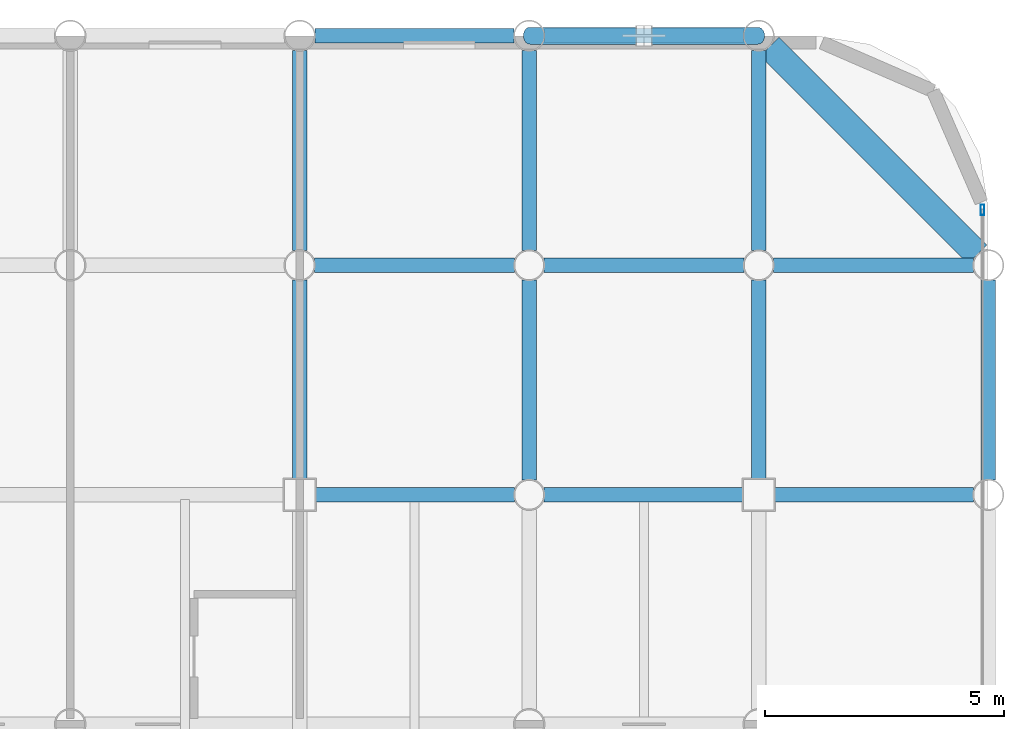
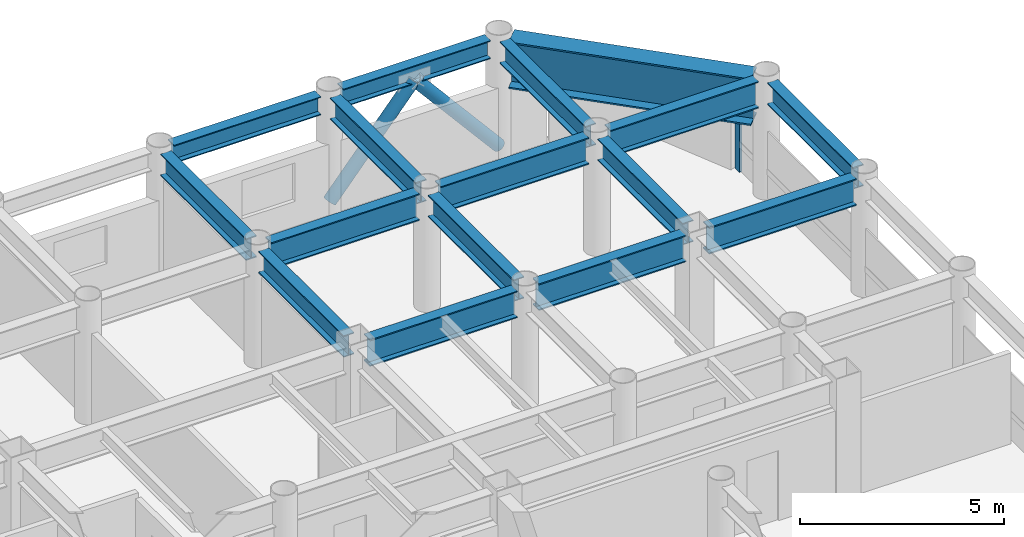
# One storey, part 14 of 20: 16 beams, 3 members, 1 element without a shape of its own.
"""IFC4 building model written with IfcOpenShell, lengths in metres."""

from ifc_helpers import new_model, si_unit, direction, frame, origin, origin_2d, place, context, subcontext, project, spatial, hollow_rectangle, hollow_circle, i_section, extrude, material, layer, layer_set, material_profile, profile_set, type_object, element, aggregate, save


model = new_model("IFC4")

# Units and contexts
model_context = context("Model", 3, precision=1e-05, world=origin(), true_north=direction((0.0, 1.0)))
body_context = subcontext(model_context, "Body", "Model", "MODEL_VIEW")
ifc_project = project(units=[si_unit("LENGTHUNIT", "METRE"), si_unit("AREAUNIT", "SQUARE_METRE"), si_unit("VOLUMEUNIT", "CUBIC_METRE"), si_unit("PLANEANGLEUNIT", "RADIAN"), si_unit("MASSUNIT", "GRAM", prefix="KILO")], contexts=[model_context])

# Site, building, storey
site_placement = place(None, origin())
site = spatial("IfcSite", under=ifc_project, at=site_placement, CompositionType="ELEMENT")
building_placement = place(site_placement, origin())
building = spatial("IfcBuilding", under=site, at=building_placement, Name="Kallvorn Hotel Tower", CompositionType="ELEMENT")
storey_placement = place(building_placement, frame((0.0, 0.0, 128.5)))
storey = spatial("IfcBuildingStorey", under=building, at=storey_placement, Name="L31", CompositionType="ELEMENT", Elevation=128.5)

# Beams
ifc_material_1 = material(Name="Structural steel S355JR", Category="steel")
ifc_material_profile_1 = material_profile(ifc_material_1, i_section(OverallWidth=0.300048828125, OverallDepth=0.550048828125, WebThickness=0.014892578125, FlangeThickness=0.029052734375, at=origin_2d()), Name="HE 550 B")
ifc_profile_set_1 = profile_set([ifc_material_profile_1], Name="Structural steel S355JR")
beam_type_1 = type_object("IfcBeamType", Name="BM_HE550B", PredefinedType="SPANDREL", material=ifc_profile_set_1)
for number, where, z_axis, x_axis, name in (
    (1, (14.719970703125, 24.0, 3.2451171875), (1.0, 0.0, 0.0), (0.0, 1.0, 0.0), "L32 Perimeter Spandrel 172"),
    (2, (19.52001953125, 24.0, 3.2451171875), (1.0, 0.0, 0.0), (0.0, 1.0, 0.0), "L32 Perimeter Spandrel 173"),
):
    element("IfcBeam", number, at=place(storey_placement, frame(where, z_axis=z_axis, x_axis=x_axis)), inside=storey, type_object=beam_type_1, Name=name, PredefinedType="SPANDREL", context=body_context, shape_type="SweptSolid", body=[
        extrude(i_section(OverallWidth=0.300048828125, OverallDepth=0.550048828125, WebThickness=0.014892578125, FlangeThickness=0.029052734375, at=origin_2d()), origin(), (0.0, 0.0, 1.0), 4.159912109375),
    ])
ifc_material_2 = material(Name="Structural steel S355JR", Category="steel")
ifc_material_profile_2 = material_profile(ifc_material_2, i_section(OverallWidth=0.300048828125, OverallDepth=0.64990234375, WebThickness=0.01611328125, FlangeThickness=0.031005859375, at=origin_2d()), Name="HE 650 B")
ifc_profile_set_2 = profile_set([ifc_material_profile_2], Name="Structural steel S355JR")
beam_type_2 = type_object("IfcBeamType", Name="BM_HE650B", PredefinedType="BEAM", material=ifc_profile_set_2)
beam_1_placement = place(storey_placement, frame((14.39990234375, 14.72509765625, 3.195068359375), z_axis=(0.0, 1.0, 0.0), x_axis=(-1.0, 0.0, 0.0)))
element("IfcBeam", 3, at=beam_1_placement, inside=storey, type_object=beam_type_2, Name="L32 Primary Y-Girder 125", PredefinedType="BEAM", context=body_context, shape_type="SweptSolid", body=[
    extrude(i_section(OverallWidth=0.300048828125, OverallDepth=0.64990234375, WebThickness=0.01611328125, FlangeThickness=0.031005859375, at=origin_2d()), origin(), (0.0, 0.0, 1.0), 4.169921875),
])
beam_2_placement = place(storey_placement, frame((14.39990234375, 19.5048828125, 3.195068359375), z_axis=(0.0, 1.0, 0.0), x_axis=(-1.0, 0.0, 0.0)))
element("IfcBeam", 4, at=beam_2_placement, inside=storey, type_object=beam_type_2, Name="L32 Primary Y-Girder 126", PredefinedType="BEAM", context=body_context, shape_type="SweptSolid", body=[
    extrude(i_section(OverallWidth=0.300048828125, OverallDepth=0.64990234375, WebThickness=0.01611328125, FlangeThickness=0.031005859375, at=origin_2d()), origin(), (0.0, 0.0, 1.0), 4.190185546875),
])
beam_3_placement = place(storey_placement, frame((19.199951171875, 14.705078125, 3.195068359375), z_axis=(0.0, 1.0, 0.0), x_axis=(-1.0, 0.0, 0.0)))
element("IfcBeam", 5, at=beam_3_placement, inside=storey, type_object=beam_type_2, Name="L32 Primary Y-Girder 134", PredefinedType="BEAM", context=body_context, shape_type="SweptSolid", body=[
    extrude(i_section(OverallWidth=0.300048828125, OverallDepth=0.64990234375, WebThickness=0.01611328125, FlangeThickness=0.031005859375, at=origin_2d()), origin(), (0.0, 0.0, 1.0), 4.18994140625),
])
beam_4_placement = place(storey_placement, frame((19.199951171875, 19.5048828125, 3.195068359375), z_axis=(0.0, 1.0, 0.0), x_axis=(-1.0, 0.0, 0.0)))
element("IfcBeam", 6, at=beam_4_placement, inside=storey, type_object=beam_type_2, Name="L32 Primary Y-Girder 135", PredefinedType="BEAM", context=body_context, shape_type="SweptSolid", body=[
    extrude(i_section(OverallWidth=0.300048828125, OverallDepth=0.64990234375, WebThickness=0.01611328125, FlangeThickness=0.031005859375, at=origin_2d()), origin(), (0.0, 0.0, 1.0), 4.190185546875),
])
beam_5_placement = place(storey_placement, frame((24.0, 14.72509765625, 3.195068359375), z_axis=(0.0, 1.0, 0.0), x_axis=(-1.0, 0.0, 0.0)))
element("IfcBeam", 7, at=beam_5_placement, inside=storey, type_object=beam_type_2, Name="L32 Primary Y-Girder 141", PredefinedType="BEAM", context=body_context, shape_type="SweptSolid", body=[
    extrude(i_section(OverallWidth=0.300048828125, OverallDepth=0.64990234375, WebThickness=0.01611328125, FlangeThickness=0.031005859375, at=origin_2d()), origin(), (0.0, 0.0, 1.0), 4.169921875),
])
beam_6_placement = place(storey_placement, frame((24.0, 19.5048828125, 3.195068359375), z_axis=(0.0, 1.0, 0.0), x_axis=(-1.0, 0.0, 0.0)))
element("IfcBeam", 8, at=beam_6_placement, inside=storey, type_object=beam_type_2, Name="L32 Primary Y-Girder 142", PredefinedType="BEAM", context=body_context, shape_type="SweptSolid", body=[
    extrude(i_section(OverallWidth=0.300048828125, OverallDepth=0.64990234375, WebThickness=0.01611328125, FlangeThickness=0.031005859375, at=origin_2d()), origin(), (0.0, 0.0, 1.0), 4.190185546875),
])
beam_7_placement = place(storey_placement, frame((28.800048828125, 14.705078125, 3.195068359375), z_axis=(0.0, 1.0, 0.0), x_axis=(-1.0, 0.0, 0.0)))
element("IfcBeam", 9, at=beam_7_placement, inside=storey, type_object=beam_type_2, Name="L32 Primary Y-Girder 150", PredefinedType="BEAM", context=body_context, shape_type="SweptSolid", body=[
    extrude(i_section(OverallWidth=0.300048828125, OverallDepth=0.64990234375, WebThickness=0.01611328125, FlangeThickness=0.031005859375, at=origin_2d()), origin(), (0.0, 0.0, 1.0), 4.18994140625),
])
ifc_material_3 = material(Name="Structural steel S355JR", Category="steel")
ifc_material_profile_3 = material_profile(ifc_material_3, i_section(OverallWidth=0.300048828125, OverallDepth=0.800048828125, WebThickness=0.017578125, FlangeThickness=0.032958984375, at=origin_2d()), Name="HE 800 B")
ifc_profile_set_3 = profile_set([ifc_material_profile_3], Name="Structural steel S355JR")
beam_type_3 = type_object("IfcBeamType", Name="BM_HE800B", PredefinedType="BEAM", material=ifc_profile_set_3)
beam_8_placement = place(storey_placement, frame((14.72509765625, 14.39990234375, 3.1201171875), z_axis=(1.0, 0.0, 0.0), x_axis=(0.0, 1.0, 0.0)))
element("IfcBeam", 10, at=beam_8_placement, inside=storey, type_object=beam_type_3, Name="L32 Primary X-Girder 57", PredefinedType="BEAM", context=body_context, shape_type="SweptSolid", body=[
    extrude(i_section(OverallWidth=0.300048828125, OverallDepth=0.800048828125, WebThickness=0.017578125, FlangeThickness=0.032958984375, at=origin_2d()), origin(), (0.0, 0.0, 1.0), 4.169921875),
])
for number, where, z_axis, x_axis, name in (
    (11, (19.5048828125, 14.39990234375, 3.1201171875), (1.0, 0.0, 0.0), (0.0, 1.0, 0.0), "L32 Primary X-Girder 58"),
    (12, (24.324951171875, 14.39990234375, 3.1201171875), (1.0, 0.0, 0.0), (0.0, 1.0, 0.0), "L32 Primary X-Girder 59"),
):
    element("IfcBeam", number, at=place(storey_placement, frame(where, z_axis=z_axis, x_axis=x_axis)), inside=storey, type_object=beam_type_3, Name=name, PredefinedType="BEAM", context=body_context, shape_type="SweptSolid", body=[
        extrude(i_section(OverallWidth=0.300048828125, OverallDepth=0.800048828125, WebThickness=0.017578125, FlangeThickness=0.032958984375, at=origin_2d()), origin(), (0.0, 0.0, 1.0), 4.170166015625),
    ])
beam_9_placement = place(storey_placement, frame((14.705078125, 19.199951171875, 3.1201171875), z_axis=(1.0, 0.0, 0.0), x_axis=(0.0, 1.0, 0.0)))
element("IfcBeam", 13, at=beam_9_placement, inside=storey, type_object=beam_type_3, Name="L32 Primary X-Girder 70", PredefinedType="BEAM", context=body_context, shape_type="SweptSolid", body=[
    extrude(i_section(OverallWidth=0.300048828125, OverallDepth=0.800048828125, WebThickness=0.017578125, FlangeThickness=0.032958984375, at=origin_2d()), origin(), (0.0, 0.0, 1.0), 4.18994140625),
])
for number, where, z_axis, x_axis, name in (
    (14, (19.5048828125, 19.199951171875, 3.1201171875), (1.0, 0.0, 0.0), (0.0, 1.0, 0.0), "L32 Primary X-Girder 71"),
    (15, (24.304931640625, 19.199951171875, 3.1201171875), (1.0, 0.0, 0.0), (0.0, 1.0, 0.0), "L32 Primary X-Girder 72"),
):
    element("IfcBeam", number, at=place(storey_placement, frame(where, z_axis=z_axis, x_axis=x_axis)), inside=storey, type_object=beam_type_3, Name=name, PredefinedType="BEAM", context=body_context, shape_type="SweptSolid", body=[
        extrude(i_section(OverallWidth=0.300048828125, OverallDepth=0.800048828125, WebThickness=0.017578125, FlangeThickness=0.032958984375, at=origin_2d()), origin(), (0.0, 0.0, 1.0), 4.190185546875),
    ])
ifc_material_4 = material(Name="Structural steel S355JR", Category="steel")
ifc_material_profile_4 = material_profile(ifc_material_4, i_section(OverallWidth=0.550048828125, OverallDepth=1.39990234375, WebThickness=0.02490234375, FlangeThickness=0.044921875, at=origin_2d()), Name="PG 1400x550x25x45")
ifc_profile_set_4 = profile_set([ifc_material_profile_4], Name="Structural steel S355JR")
beam_type_4 = type_object("IfcBeamType", Name="BM_PG_1400", PredefinedType="BEAM", material=ifc_profile_set_4)
beam_10_placement = place(storey_placement, frame((28.57373046875, 19.42626953125, 2.820068359375), z_axis=(-0.707106781187, 0.707106781187, 0.0), x_axis=(-0.707106781187, -0.707106781187, 0.0)))
element("IfcBeam", 16, at=beam_10_placement, inside=storey, type_object=beam_type_4, Name="L32 Rounded Corner Tie Beam 191", PredefinedType="BEAM", context=body_context, shape_type="SweptSolid", body=[
    extrude(i_section(OverallWidth=0.550048828125, OverallDepth=1.39990234375, WebThickness=0.02490234375, FlangeThickness=0.044921875, at=origin_2d()), origin(), (0.0, 0.0, 1.0), 6.148193359375),
])

# Curtain wall, member
ifc_material_5 = material(Name="Thermally broken black-anodised aluminium AA 6063-T6", Category="aluminium")
ifc_layer = layer(ifc_material_5, 0.2099609375)
ifc_layer_set = layer_set([ifc_layer], Name="CW_SYS_4_HOTEL_MID")
curtain_wall_type = type_object("IfcCurtainWallType", Name="CW_SYS_4_HOTEL_MID", PredefinedType="USERDEFINED", material=ifc_layer_set)
curtain_wall_placement = place(storey_placement, origin())
curtain_wall = element("IfcCurtainWall", 17, at=curtain_wall_placement, inside=storey, type_object=curtain_wall_type, Name="L31 Dark-Glass Curtain Wall CW-L31-EN", ObjectType="UNITISED CURTAIN WALL", PredefinedType="USERDEFINED")
ifc_material_6 = material(Name="Thermally broken black-anodised aluminium AA 6063-T6", Category="aluminium")
ifc_material_profile_5 = material_profile(ifc_material_6, hollow_rectangle(XDim=0.080078125, YDim=0.219970703125, WallThickness=0.0048828125, at=origin_2d()), Name="MUL 220x80")
ifc_profile_set_5 = profile_set([ifc_material_profile_5], Name="Thermally broken black-anodised aluminium AA 6063-T6")
member_type_1 = type_object("IfcMemberType", Name="CW_MULLION_220x80", PredefinedType="MULLION", material=ifc_profile_set_5)
member_placement = place(storey_placement, frame((28.679931640625, 20.360107421875, 0.02001953125), z_axis=(0.0, 0.0, 1.0), x_axis=(1.0, 0.0, 0.0)))
member = element("IfcMember", 18, at=member_placement, type_object=member_type_1, Name="CW-L31-EN Mullion 01", PredefinedType="MULLION", context=body_context, shape_type="SweptSolid", body=[
    extrude(hollow_rectangle(XDim=0.080078125, YDim=0.219970703125, WallThickness=0.0048828125, at=origin_2d()), origin(), (0.0, 0.0, 1.0), 2.080078125),
])
aggregate(curtain_wall, [member])

# Members
ifc_material_7 = material(Name="Structural steel S355J2H", Category="steel")
ifc_material_profile_6 = material_profile(ifc_material_7, hollow_circle(Radius=0.177734375, WallThickness=0.01416015625, at=origin_2d()), Name="CHS 355.6x14.2")
ifc_profile_set_6 = profile_set([ifc_material_profile_6], Name="Structural steel S355J2H")
member_type_2 = type_object("IfcMemberType", Name="MBR_EXO_CHS355", PredefinedType="BRACE", material=ifc_profile_set_6)
for number, where, z_axis, x_axis, name in (
    (19, (19.212890625, 24.0, 0.1953125), (0.646833296797, 0.0, 0.762631422218), (0.0, 1.0, 0.0), "L31 Exoskeleton K-Brace N2A"),
    (20, (23.987060546875, 24.0, 0.1953125), (-0.646833296797, 0.0, 0.762631422218), (0.0, -1.0, 0.0), "L31 Exoskeleton K-Brace N2B"),
):
    element("IfcMember", number, at=place(storey_placement, frame(where, z_axis=z_axis, x_axis=x_axis)), inside=storey, type_object=member_type_2, Name=name, PredefinedType="BRACE", context=body_context, shape_type="SweptSolid", body=[
        extrude(hollow_circle(Radius=0.177734375, WallThickness=0.01416015625, at=origin_2d()), origin(), (0.0, 0.0, 1.0), 3.670654296875),
    ])

save(model, "model.ifc")
